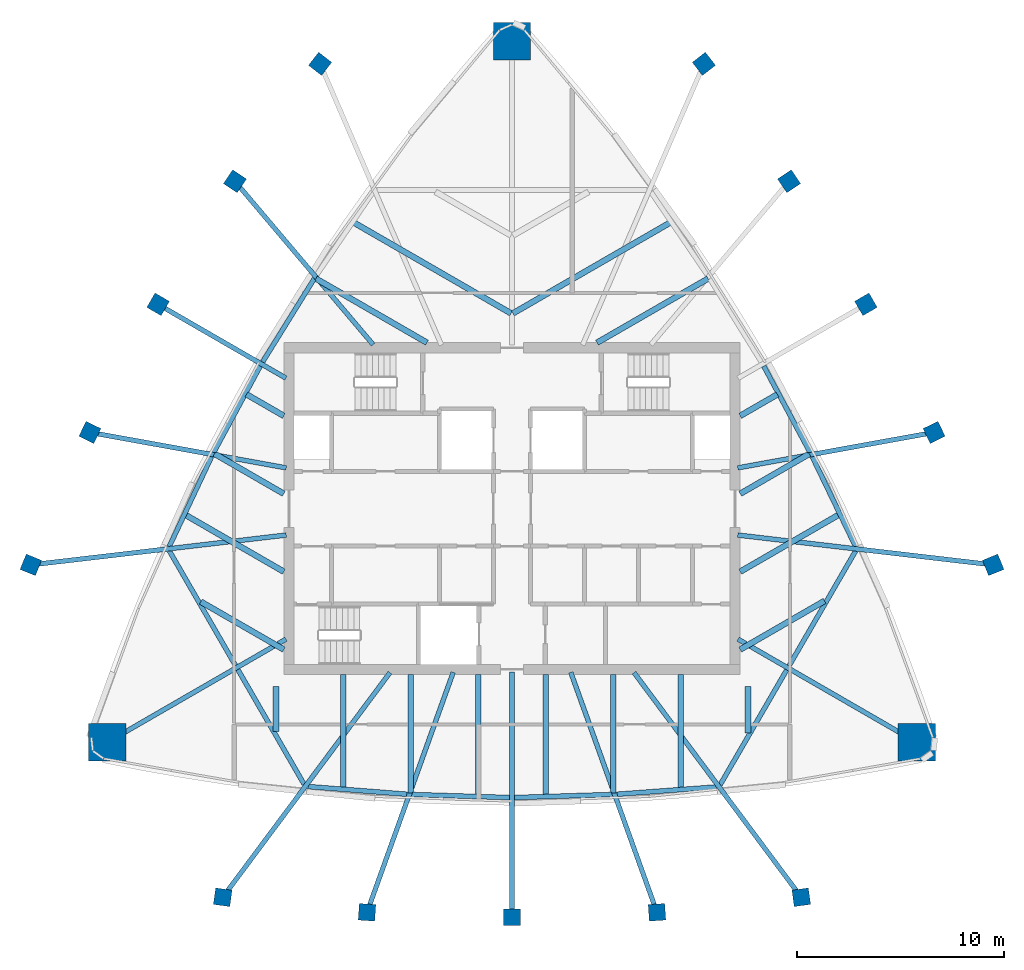
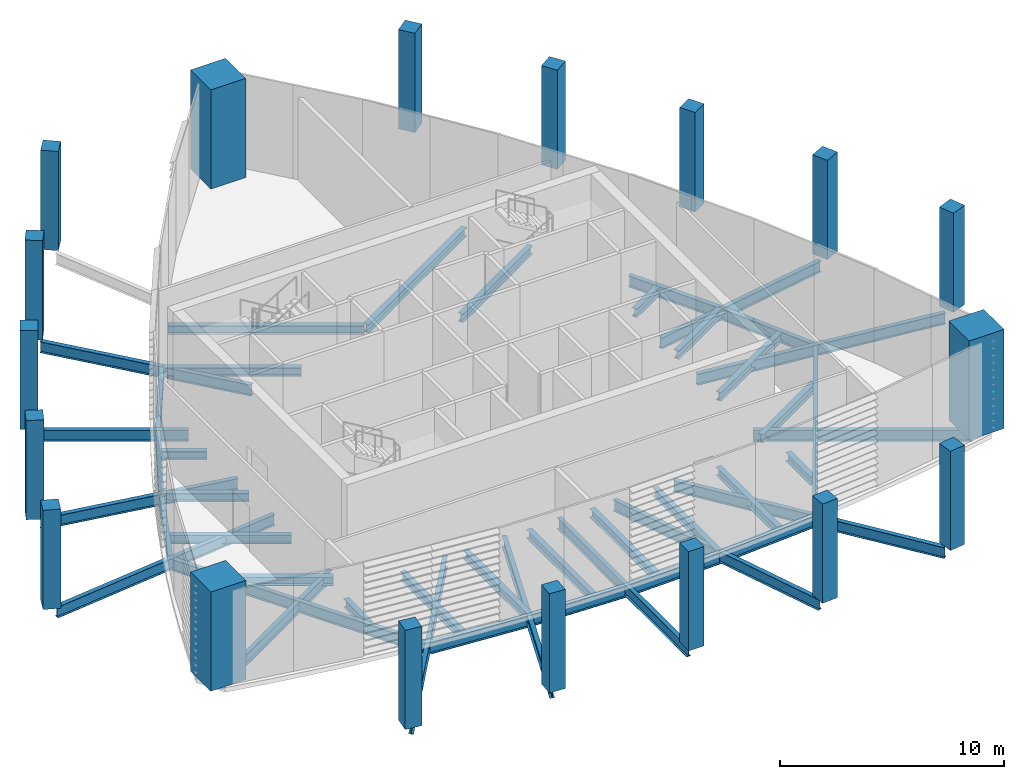
# One storey, part 1 of 8: 44 beams, 18 columns.
"""IFC4 building model written with IfcOpenShell, lengths in metres."""

from ifc_helpers import new_model, si_unit, direction, frame, origin, origin_2d, place, context, subcontext, project, spatial, rectangle, i_section, extrude, clip, halfspace, material, material_profile, profile_set, type_object, element, save


model = new_model("IFC4")

# Units and contexts
model_context = context("Model", 3, precision=1e-05, world=origin(), true_north=direction((0.0, 1.0)))
body_context = subcontext(model_context, "Body", "Model", "MODEL_VIEW")
ifc_project = project(units=[si_unit("LENGTHUNIT", "METRE"), si_unit("AREAUNIT", "SQUARE_METRE"), si_unit("VOLUMEUNIT", "CUBIC_METRE"), si_unit("PLANEANGLEUNIT", "RADIAN"), si_unit("MASSUNIT", "GRAM", prefix="KILO")], contexts=[model_context])

# Site, building, storey
site_placement = place(None, origin())
site = spatial("IfcSite", under=ifc_project, at=site_placement, CompositionType="ELEMENT")
building_placement = place(site_placement, origin())
building = spatial("IfcBuilding", under=site, at=building_placement, Name="Sierra Prisma Convention Tower", CompositionType="ELEMENT")
storey_placement = place(building_placement, frame((0.0, 0.0, 350.199951171875)))
storey = spatial("IfcBuildingStorey", under=building, at=storey_placement, Name="L78", CompositionType="ELEMENT", Elevation=350.199951171875)

# Columns
ifc_material_1 = material(Name="Concrete C50/60", Category="concrete")
ifc_material_profile_1 = material_profile(ifc_material_1, rectangle(XDim=1.800048828125, YDim=1.800048828125, at=origin_2d()), Name="Mega column RC 1800 C50/60")
ifc_profile_set_1 = profile_set([ifc_material_profile_1], Name="Concrete C50/60")
column_type_1 = type_object("IfcColumnType", Name="Mega column RC 1800 C50/60", PredefinedType="COLUMN", material=ifc_profile_set_1)
for number, where, z_axis, x_axis, name in (
    (1, (19.513671875, -11.266357421875, 0.0), (0.0, 0.0, 1.0), (1.0, 0.0, 0.0), "Mega column SE L78"),
    (2, (0.0, 22.532470703125, 0.0), (0.0, 0.0, 1.0), (1.0, 0.0, 0.0), "Mega column N L78"),
    (3, (-19.513671875, -11.266357421875, 0.0), (0.0, 0.0, 1.0), (1.0, 0.0, 0.0), "Mega column SW L78"),
):
    element("IfcColumn", number, at=place(storey_placement, frame(where, z_axis=z_axis, x_axis=x_axis)), inside=storey, type_object=column_type_1, Name=name, PredefinedType="COLUMN", context=body_context, shape_type="SweptSolid", body=[
        extrude(rectangle(XDim=1.800048828125, YDim=1.800048828125, at=origin_2d()), origin(), (0.0, 0.0, 1.0), 5.400146484375),
    ])
ifc_material_2 = material(Name="Concrete C50/60", Category="concrete")
ifc_material_profile_2 = material_profile(ifc_material_2, rectangle(XDim=0.800048828125, YDim=0.800048828125, at=origin_2d()), Name="Perimeter column RC 800 C50/60")
ifc_profile_set_2 = profile_set([ifc_material_profile_2], Name="Concrete C50/60")
column_type_2 = type_object("IfcColumnType", Name="Perimeter column RC 800 C50/60", PredefinedType="COLUMN", material=ifc_profile_set_2)
for number, where, z_axis, x_axis, name in (
    (4, (-13.944580078125, -18.733154296875, 0.0), (0.0, 0.0, 1.0), (-0.990429413919, 0.138020201583, 0.0), "Perimeter column S-1 L78"),
    (5, (-6.989013671875, -19.4580078125, 0.0), (0.0, 0.0, 1.0), (-0.997604544599, 0.069174941967, 0.0), "Perimeter column S-2 L78"),
    (6, (0.0, -19.699951171875, 0.0), (0.0, 0.0, 1.0), (1.0, 0.0, 0.0), "Perimeter column S-3 L78"),
    (7, (6.989013671875, -19.4580078125, 0.0), (0.0, 0.0, 1.0), (0.997604544599, 0.069174941967, 0.0), "Perimeter column S-4 L78"),
    (8, (13.944580078125, -18.733154296875, 0.0), (0.0, 0.0, 1.0), (0.990429413919, 0.138020201583, 0.0), "Perimeter column S-5 L78"),
    (9, (23.195556640625, -2.7099609375, 0.0), (0.0, 0.0, 1.0), (-0.375685706153, 0.9267471339, 0.0), "Perimeter column NE-1 L78"),
    (10, (20.345703125, 3.67626953125, 0.0), (0.0, 0.0, 1.0), (-0.438895015251, 0.898538349537, 0.0), "Perimeter column NE-2 L78"),
    (11, (17.060791015625, 9.85009765625, 0.0), (0.0, 0.0, 1.0), (-0.5, 0.866025403784, 0.0), "Perimeter column NE-3 L78"),
    (12, (13.356689453125, 15.78173828125, 0.0), (0.0, 0.0, 1.0), (-0.558709529348, 0.82936340757, 0.0), "Perimeter column NE-4 L78"),
    (13, (9.2509765625, 21.44287109375, 0.0), (0.0, 0.0, 1.0), (-0.614743707766, 0.788726932317, 0.0), "Perimeter column NE-5 L78"),
    (14, (-9.2509765625, 21.44287109375, 0.0), (0.0, 0.0, 1.0), (0.614743707766, 0.788726932317, 0.0), "Perimeter column NW-1 L78"),
    (15, (-13.356689453125, 15.78173828125, 0.0), (0.0, 0.0, 1.0), (0.558709529348, 0.82936340757, 0.0), "Perimeter column NW-2 L78"),
    (16, (-17.060791015625, 9.85009765625, 0.0), (0.0, 0.0, 1.0), (0.5, 0.866025403784, 0.0), "Perimeter column NW-3 L78"),
    (17, (-20.345703125, 3.67626953125, 0.0), (0.0, 0.0, 1.0), (0.438895015251, 0.898538349537, 0.0), "Perimeter column NW-4 L78"),
    (18, (-23.195556640625, -2.7099609375, 0.0), (0.0, 0.0, 1.0), (0.375685706153, 0.9267471339, 0.0), "Perimeter column NW-5 L78"),
):
    element("IfcColumn", number, at=place(storey_placement, frame(where, z_axis=z_axis, x_axis=x_axis)), inside=storey, type_object=column_type_2, Name=name, PredefinedType="COLUMN", context=body_context, shape_type="SweptSolid", body=[
        extrude(rectangle(XDim=0.800048828125, YDim=0.800048828125, at=origin_2d()), origin(), (0.0, 0.0, 1.0), 5.400146484375),
    ])

# Beams
ifc_material_3 = material(Name="Steel ASTM A992 Gr 50", Category="steel")
ifc_material_profile_3 = material_profile(ifc_material_3, i_section(OverallWidth=0.280029296875, OverallDepth=0.462890625, WebThickness=0.0107421875, FlangeThickness=0.017333984375, at=origin_2d()), Name="W460x113")
ifc_profile_set_3 = profile_set([ifc_material_profile_3], Name="Steel ASTM A992 Gr 50")
beam_type_1 = type_object("IfcBeamType", Name="Plant floor joist W460x113", PredefinedType="JOIST", material=ifc_profile_set_3)
beam_1_placement = place(storey_placement, frame((-11.383056640625, -10.747314453125, -0.4814453125), z_axis=(0.0, 1.0, 0.0), x_axis=(-1.0, 0.0, 0.0)))
element("IfcBeam", 19, at=beam_1_placement, inside=storey, type_object=beam_type_1, Name="Floor joist L78 S03", PredefinedType="JOIST", context=body_context, shape_type="SweptSolid", body=[
    extrude(i_section(OverallWidth=0.280029296875, OverallDepth=0.462890625, WebThickness=0.0107421875, FlangeThickness=0.017333984375, at=origin_2d()), origin(), (0.0, 0.0, 1.0), 2.1669921875),
])
beam_2_placement = place(storey_placement, frame((-8.130615234375, -13.46240234375, -0.4814453125), z_axis=(0.0, 1.0, 0.0), x_axis=(-1.0, 0.0, 0.0)))
element("IfcBeam", 20, at=beam_2_placement, inside=storey, type_object=beam_type_1, Name="Floor joist L78 S04", PredefinedType="JOIST", context=body_context, shape_type="SweptSolid", body=[
    extrude(i_section(OverallWidth=0.280029296875, OverallDepth=0.462890625, WebThickness=0.0107421875, FlangeThickness=0.017333984375, at=origin_2d()), origin(), (0.0, 0.0, 1.0), 5.46240234375),
])
beam_3_placement = place(storey_placement, frame((-4.87841796875, -13.712158203125, -0.4814453125), z_axis=(0.0, 1.0, 0.0), x_axis=(-1.0, 0.0, 0.0)))
element("IfcBeam", 21, at=beam_3_placement, inside=storey, type_object=beam_type_1, Name="Floor joist L78 S05", PredefinedType="JOIST", context=body_context, shape_type="SweptSolid", body=[
    extrude(i_section(OverallWidth=0.280029296875, OverallDepth=0.462890625, WebThickness=0.0107421875, FlangeThickness=0.017333984375, at=origin_2d()), origin(), (0.0, 0.0, 1.0), 5.712158203125),
])
for number, where, z_axis, x_axis, name in (
    (22, (-1.626220703125, -13.813720703125, -0.4814453125), (0.0, 1.0, 0.0), (-1.0, 0.0, 0.0), "Floor joist L78 S06"),
    (23, (1.626220703125, -13.813720703125, -0.4814453125), (0.0, 1.0, 0.0), (-1.0, 0.0, 0.0), "Floor joist L78 S07"),
):
    element("IfcBeam", number, at=place(storey_placement, frame(where, z_axis=z_axis, x_axis=x_axis)), inside=storey, type_object=beam_type_1, Name=name, PredefinedType="JOIST", context=body_context, shape_type="SweptSolid", body=[
        extrude(i_section(OverallWidth=0.280029296875, OverallDepth=0.462890625, WebThickness=0.0107421875, FlangeThickness=0.017333984375, at=origin_2d()), origin(), (0.0, 0.0, 1.0), 5.813720703125),
    ])
beam_4_placement = place(storey_placement, frame((4.87841796875, -13.712158203125, -0.4814453125), z_axis=(0.0, 1.0, 0.0), x_axis=(-1.0, 0.0, 0.0)))
element("IfcBeam", 24, at=beam_4_placement, inside=storey, type_object=beam_type_1, Name="Floor joist L78 S08", PredefinedType="JOIST", context=body_context, shape_type="SweptSolid", body=[
    extrude(i_section(OverallWidth=0.280029296875, OverallDepth=0.462890625, WebThickness=0.0107421875, FlangeThickness=0.017333984375, at=origin_2d()), origin(), (0.0, 0.0, 1.0), 5.712158203125),
])
beam_5_placement = place(storey_placement, frame((8.130615234375, -13.475830078125, -0.4814453125), z_axis=(0.0, 1.0, 0.0), x_axis=(-1.0, 0.0, 0.0)))
element("IfcBeam", 25, at=beam_5_placement, inside=storey, type_object=beam_type_1, Name="Floor joist L78 S09", PredefinedType="JOIST", context=body_context, shape_type="SweptSolid", body=[
    extrude(i_section(OverallWidth=0.280029296875, OverallDepth=0.462890625, WebThickness=0.0107421875, FlangeThickness=0.017333984375, at=origin_2d()), origin(), (0.0, 0.0, 1.0), 5.475830078125),
])
beam_6_placement = place(storey_placement, frame((11.383056640625, -10.802001953125, -0.4814453125), z_axis=(0.0, 1.0, 0.0), x_axis=(-1.0, 0.0, 0.0)))
element("IfcBeam", 26, at=beam_6_placement, inside=storey, type_object=beam_type_1, Name="Floor joist L78 S10", PredefinedType="JOIST", context=body_context, shape_type="SweptSolid", body=[
    extrude(i_section(OverallWidth=0.280029296875, OverallDepth=0.462890625, WebThickness=0.0107421875, FlangeThickness=0.017333984375, at=origin_2d()), origin(), (0.0, 0.0, 1.0), 2.2216796875),
])
beam_7_placement = place(storey_placement, frame((15.064697265625, -4.4462890625, -0.4814453125), z_axis=(-0.866009741255, -0.500027127316, 0.0), x_axis=(0.500027127316, -0.866009741255, 0.0)))
element("IfcBeam", 27, at=beam_7_placement, inside=storey, type_object=beam_type_1, Name="Floor joist L78 NE03", PredefinedType="JOIST", context=body_context, shape_type="SweptSolid", body=[
    extrude(i_section(OverallWidth=0.280029296875, OverallDepth=0.462890625, WebThickness=0.0107421875, FlangeThickness=0.017333984375, at=origin_2d()), origin(), (0.0, 0.0, 1.0), 4.693603515625),
])
beam_8_placement = place(storey_placement, frame((15.752197265625, -0.2939453125, -0.4814453125), z_axis=(-0.866027773222, -0.499995895991, 0.0), x_axis=(0.499995895991, -0.866027773222, 0.0)))
element("IfcBeam", 28, at=beam_8_placement, inside=storey, type_object=beam_type_1, Name="Floor joist L78 NE04", PredefinedType="JOIST", context=body_context, shape_type="SweptSolid", body=[
    extrude(i_section(OverallWidth=0.280029296875, OverallDepth=0.462890625, WebThickness=0.0107421875, FlangeThickness=0.017333984375, at=origin_2d()), origin(), (0.0, 0.0, 1.0), 5.4873046875),
])
beam_9_placement = place(storey_placement, frame((14.331787109375, 2.641357421875, -0.4814453125), z_axis=(-0.866028127555, -0.499995282261, 0.0), x_axis=(0.499995282261, -0.866028127555, 0.0)))
element("IfcBeam", 29, at=beam_9_placement, inside=storey, type_object=beam_type_1, Name="Floor joist L78 NE05", PredefinedType="JOIST", context=body_context, shape_type="SweptSolid", body=[
    extrude(i_section(OverallWidth=0.280029296875, OverallDepth=0.462890625, WebThickness=0.0107421875, FlangeThickness=0.017333984375, at=origin_2d()), origin(), (0.0, 0.0, 1.0), 3.84716796875),
])
beam_10_placement = place(storey_placement, frame((12.793701171875, 5.5087890625, -0.4814453125), z_axis=(-0.866014808974, -0.500018350302, 0.0), x_axis=(0.500018350302, -0.866014808974, 0.0)))
element("IfcBeam", 30, at=beam_10_placement, inside=storey, type_object=beam_type_1, Name="Floor joist L78 NE06", PredefinedType="JOIST", context=body_context, shape_type="SweptSolid", body=[
    extrude(i_section(OverallWidth=0.280029296875, OverallDepth=0.462890625, WebThickness=0.0107421875, FlangeThickness=0.017333984375, at=origin_2d()), origin(), (0.0, 0.0, 1.0), 2.0712890625),
])
beam_11_placement = place(storey_placement, frame((9.453857421875, 11.09130859375, -0.4814453125), z_axis=(-0.866023159588, -0.500003887042, 0.0), x_axis=(0.500003887042, -0.866023159588, 0.0)))
element("IfcBeam", 31, at=beam_11_placement, inside=storey, type_object=beam_type_1, Name="Floor joist L78 NE08", PredefinedType="JOIST", context=body_context, shape_type="SweptSolid", body=[
    extrude(i_section(OverallWidth=0.280029296875, OverallDepth=0.462890625, WebThickness=0.0107421875, FlangeThickness=0.017333984375, at=origin_2d()), origin(), (0.0, 0.0, 1.0), 6.1826171875),
])
for number, where, z_axis, x_axis, name in (
    (32, (7.62158203125, 13.788818359375, -0.4814453125), (-0.866022457571, -0.500005102957, 0.0), (0.500005102957, -0.866022457571, 0.0), "Floor joist L78 NE09"),
    (33, (-7.62158203125, 13.788818359375, -0.4814453125), (0.866022457571, -0.500005102957, 0.0), (0.500005102957, 0.866022457571, 0.0), "Floor joist L78 NW04"),
):
    element("IfcBeam", number, at=place(storey_placement, frame(where, z_axis=z_axis, x_axis=x_axis)), inside=storey, type_object=beam_type_1, Name=name, PredefinedType="JOIST", context=body_context, shape_type="SweptSolid", body=[
        extrude(i_section(OverallWidth=0.280029296875, OverallDepth=0.462890625, WebThickness=0.0107421875, FlangeThickness=0.017333984375, at=origin_2d()), origin(), (0.0, 0.0, 1.0), 8.748046875),
    ])
beam_12_placement = place(storey_placement, frame((-9.453857421875, 11.09130859375, -0.4814453125), z_axis=(0.866023159588, -0.500003887042, 0.0), x_axis=(0.500003887042, 0.866023159588, 0.0)))
element("IfcBeam", 34, at=beam_12_placement, inside=storey, type_object=beam_type_1, Name="Floor joist L78 NW05", PredefinedType="JOIST", context=body_context, shape_type="SweptSolid", body=[
    extrude(i_section(OverallWidth=0.280029296875, OverallDepth=0.462890625, WebThickness=0.0107421875, FlangeThickness=0.017333984375, at=origin_2d()), origin(), (0.0, 0.0, 1.0), 6.1826171875),
])
beam_13_placement = place(storey_placement, frame((-12.796630859375, 5.510498046875, -0.4814453125), z_axis=(0.866011167577, -0.500024657023, 0.0), x_axis=(0.500024657023, 0.866011167577, 0.0)))
element("IfcBeam", 35, at=beam_13_placement, inside=storey, type_object=beam_type_1, Name="Floor joist L78 NW07", PredefinedType="JOIST", context=body_context, shape_type="SweptSolid", body=[
    extrude(i_section(OverallWidth=0.280029296875, OverallDepth=0.462890625, WebThickness=0.0107421875, FlangeThickness=0.017333984375, at=origin_2d()), origin(), (0.0, 0.0, 1.0), 2.07470703125),
])
beam_14_placement = place(storey_placement, frame((-14.340576171875, 2.646484375, -0.4814453125), z_axis=(0.866022217343, -0.500005519039, 0.0), x_axis=(0.500005519039, 0.866022217343, 0.0)))
element("IfcBeam", 36, at=beam_14_placement, inside=storey, type_object=beam_type_1, Name="Floor joist L78 NW08", PredefinedType="JOIST", context=body_context, shape_type="SweptSolid", body=[
    extrude(i_section(OverallWidth=0.280029296875, OverallDepth=0.462890625, WebThickness=0.0107421875, FlangeThickness=0.017333984375, at=origin_2d()), origin(), (0.0, 0.0, 1.0), 3.857421875),
])
beam_15_placement = place(storey_placement, frame((-15.73388671875, -0.304443359375, -0.4814453125), z_axis=(0.866021955858, -0.500005971936, 0.0), x_axis=(0.500005971936, 0.866021955858, 0.0)))
element("IfcBeam", 37, at=beam_15_placement, inside=storey, type_object=beam_type_1, Name="Floor joist L78 NW09", PredefinedType="JOIST", context=body_context, shape_type="SweptSolid", body=[
    extrude(i_section(OverallWidth=0.280029296875, OverallDepth=0.462890625, WebThickness=0.0107421875, FlangeThickness=0.017333984375, at=origin_2d()), origin(), (0.0, 0.0, 1.0), 5.46630859375),
])
beam_16_placement = place(storey_placement, frame((-14.9990234375, -4.484375, -0.4814453125), z_axis=(0.866025344474, -0.500000102728, 0.0), x_axis=(0.500000102728, 0.866025344474, 0.0)))
element("IfcBeam", 38, at=beam_16_placement, inside=storey, type_object=beam_type_1, Name="Floor joist L78 NW10", PredefinedType="JOIST", context=body_context, shape_type="SweptSolid", body=[
    extrude(i_section(OverallWidth=0.280029296875, OverallDepth=0.462890625, WebThickness=0.0107421875, FlangeThickness=0.017333984375, at=origin_2d()), origin(), (0.0, 0.0, 1.0), 4.61767578125),
])
ifc_material_4 = material(Name="Steel ASTM A992 Gr 50", Category="steel")
ifc_material_profile_4 = material_profile(ifc_material_4, i_section(OverallWidth=0.22802734375, OverallDepth=0.60302734375, WebThickness=0.010498046875, FlangeThickness=0.014892578125, at=origin_2d()), Name="W610x101")
ifc_profile_set_4 = profile_set([ifc_material_profile_4], Name="Steel ASTM A992 Gr 50")
beam_type_2 = type_object("IfcBeamType", Name="Radial girder W610x101", PredefinedType="BEAM", material=ifc_profile_set_4)
beam_17_placement = place(storey_placement, frame((-19.333740234375, -11.162353515625, -0.551513671875), z_axis=(0.866023262497, 0.500003708801, 0.0), x_axis=(-0.500003708801, 0.866023262497, 0.0)))
element("IfcBeam", 39, at=beam_17_placement, inside=storey, type_object=beam_type_2, Name="Radial girder L78 MC-SW", PredefinedType="BEAM", context=body_context, shape_type="SweptSolid", body=[
    extrude(i_section(OverallWidth=0.22802734375, OverallDepth=0.60302734375, WebThickness=0.010498046875, FlangeThickness=0.014892578125, at=origin_2d()), origin(), (0.0, 0.0, 1.0), 9.7431640625),
])
beam_18_placement = place(storey_placement, frame((-13.743896484375, -18.46337890625, -0.551513671875), z_axis=(0.597111803332, 0.802158023286, 0.0), x_axis=(-0.802158023286, 0.597111803332, 0.0)))
element("IfcBeam", 40, at=beam_18_placement, inside=storey, type_object=beam_type_2, Name="Radial girder L78 PC-S-1", PredefinedType="BEAM", context=body_context, shape_type="SweptSolid", body=[
    extrude(i_section(OverallWidth=0.22802734375, OverallDepth=0.60302734375, WebThickness=0.010498046875, FlangeThickness=0.014892578125, at=origin_2d()), origin(), (0.0, 0.0, 1.0), 13.1640625),
])
beam_19_placement = place(storey_placement, frame((-6.88916015625, -19.1796875, -0.551513671875), z_axis=(0.338038517584, 0.941132275841, 0.0), x_axis=(-0.941132275841, 0.338038517584, 0.0)))
element("IfcBeam", 41, at=beam_19_placement, inside=storey, type_object=beam_type_2, Name="Radial girder L78 PC-S-2", PredefinedType="BEAM", context=body_context, shape_type="SweptSolid", body=[
    extrude(i_section(OverallWidth=0.22802734375, OverallDepth=0.60302734375, WebThickness=0.010498046875, FlangeThickness=0.014892578125, at=origin_2d()), origin(), (0.0, 0.0, 1.0), 11.9990234375),
])
beam_20_placement = place(storey_placement, frame((0.0, -19.419921875, -0.551513671875), z_axis=(0.0, 1.0, 0.0), x_axis=(-1.0, 0.0, 0.0)))
element("IfcBeam", 42, at=beam_20_placement, inside=storey, type_object=beam_type_2, Name="Radial girder L78 PC-S-3", PredefinedType="BEAM", context=body_context, shape_type="SweptSolid", body=[
    extrude(i_section(OverallWidth=0.22802734375, OverallDepth=0.60302734375, WebThickness=0.010498046875, FlangeThickness=0.014892578125, at=origin_2d()), origin(), (0.0, 0.0, 1.0), 11.5400390625),
])
beam_21_placement = place(storey_placement, frame((6.88916015625, -19.1796875, -0.551513671875), z_axis=(-0.338038517584, 0.941132275841, 0.0), x_axis=(-0.941132275841, -0.338038517584, 0.0)))
element("IfcBeam", 43, at=beam_21_placement, inside=storey, type_object=beam_type_2, Name="Radial girder L78 PC-S-4", PredefinedType="BEAM", context=body_context, shape_type="SweptSolid", body=[
    extrude(i_section(OverallWidth=0.22802734375, OverallDepth=0.60302734375, WebThickness=0.010498046875, FlangeThickness=0.014892578125, at=origin_2d()), origin(), (0.0, 0.0, 1.0), 11.9990234375),
])
beam_22_placement = place(storey_placement, frame((13.743896484375, -18.46337890625, -0.551513671875), z_axis=(-0.597111803332, 0.802158023286, 0.0), x_axis=(-0.802158023286, -0.597111803332, 0.0)))
element("IfcBeam", 44, at=beam_22_placement, inside=storey, type_object=beam_type_2, Name="Radial girder L78 PC-S-5", PredefinedType="BEAM", context=body_context, shape_type="SweptSolid", body=[
    extrude(i_section(OverallWidth=0.22802734375, OverallDepth=0.60302734375, WebThickness=0.010498046875, FlangeThickness=0.014892578125, at=origin_2d()), origin(), (0.0, 0.0, 1.0), 13.1640625),
])
beam_23_placement = place(storey_placement, frame((19.333740234375, -11.162353515625, -0.551513671875), z_axis=(-0.866023262497, 0.500003708801, 0.0), x_axis=(-0.500003708801, -0.866023262497, 0.0)))
element("IfcBeam", 45, at=beam_23_placement, inside=storey, type_object=beam_type_2, Name="Radial girder L78 MC-SE", PredefinedType="BEAM", context=body_context, shape_type="SweptSolid", body=[
    extrude(i_section(OverallWidth=0.22802734375, OverallDepth=0.60302734375, WebThickness=0.010498046875, FlangeThickness=0.014892578125, at=origin_2d()), origin(), (0.0, 0.0, 1.0), 9.7431640625),
])
beam_24_placement = place(storey_placement, frame((22.86181640625, -2.6708984375, -0.551513671875), z_axis=(-0.993245189305, 0.116034451446, 0.0), x_axis=(-0.116034451446, -0.993245189305, 0.0)))
element("IfcBeam", 46, at=beam_24_placement, inside=storey, type_object=beam_type_2, Name="Radial girder L78 PC-NE-1", PredefinedType="BEAM", context=body_context, shape_type="SweptSolid", body=[
    extrude(i_section(OverallWidth=0.22802734375, OverallDepth=0.60302734375, WebThickness=0.010498046875, FlangeThickness=0.014892578125, at=origin_2d()), origin(), (0.0, 0.0, 1.0), 12.0625),
])
beam_25_placement = place(storey_placement, frame((20.0546875, 3.623779296875, -0.551513671875), z_axis=(-0.984064190553, -0.177813578986, 0.0), x_axis=(0.177813578986, -0.984064190553, 0.0)))
element("IfcBeam", 47, at=beam_25_placement, inside=storey, type_object=beam_type_2, Name="Radial girder L78 PC-NE-2", PredefinedType="BEAM", context=body_context, shape_type="SweptSolid", body=[
    extrude(i_section(OverallWidth=0.22802734375, OverallDepth=0.60302734375, WebThickness=0.010498046875, FlangeThickness=0.014892578125, at=origin_2d()), origin(), (0.0, 0.0, 1.0), 9.3212890625),
])
beam_26_placement = place(storey_placement, frame((-13.16552734375, 15.555908203125, -0.551513671875), z_axis=(0.646028534804, -0.76331325956, 0.0), x_axis=(0.76331325956, 0.646028534804, 0.0)))
element("IfcBeam", 48, at=beam_26_placement, inside=storey, type_object=beam_type_2, Name="Radial girder L78 PC-NW-2", PredefinedType="BEAM", context=body_context, shape_type="SweptSolid", body=[
    extrude(i_section(OverallWidth=0.22802734375, OverallDepth=0.60302734375, WebThickness=0.010498046875, FlangeThickness=0.014892578125, at=origin_2d()), origin(), (0.0, 0.0, 1.0), 10.018798828125),
])
beam_27_placement = place(storey_placement, frame((-16.818115234375, 9.7099609375, -0.551513671875), z_axis=(0.866022087412, -0.500005744082, 0.0), x_axis=(0.500005744082, 0.866022087412, 0.0)))
element("IfcBeam", 49, at=beam_27_placement, inside=storey, type_object=beam_type_2, Name="Radial girder L78 PC-NW-3", PredefinedType="BEAM", context=body_context, shape_type="SweptSolid", body=[
    extrude(i_section(OverallWidth=0.22802734375, OverallDepth=0.60302734375, WebThickness=0.010498046875, FlangeThickness=0.014892578125, at=origin_2d()), origin(), (0.0, 0.0, 1.0), 6.83837890625),
])
beam_28_placement = place(storey_placement, frame((-20.0546875, 3.623779296875, -0.551513671875), z_axis=(0.984064190553, -0.177813578986, 0.0), x_axis=(0.177813578986, 0.984064190553, 0.0)))
element("IfcBeam", 50, at=beam_28_placement, inside=storey, type_object=beam_type_2, Name="Radial girder L78 PC-NW-4", PredefinedType="BEAM", context=body_context, shape_type="SweptSolid", body=[
    extrude(i_section(OverallWidth=0.22802734375, OverallDepth=0.60302734375, WebThickness=0.010498046875, FlangeThickness=0.014892578125, at=origin_2d()), origin(), (0.0, 0.0, 1.0), 9.3212890625),
])
beam_29_placement = place(storey_placement, frame((-22.86181640625, -2.6708984375, -0.551513671875), z_axis=(0.993245189305, 0.116034451446, 0.0), x_axis=(-0.116034451446, 0.993245189305, 0.0)))
element("IfcBeam", 51, at=beam_29_placement, inside=storey, type_object=beam_type_2, Name="Radial girder L78 PC-NW-5", PredefinedType="BEAM", context=body_context, shape_type="SweptSolid", body=[
    extrude(i_section(OverallWidth=0.22802734375, OverallDepth=0.60302734375, WebThickness=0.010498046875, FlangeThickness=0.014892578125, at=origin_2d()), origin(), (0.0, 0.0, 1.0), 12.0625),
])
ifc_material_5 = material(Name="Steel ASTM A992 Gr 50", Category="steel")
ifc_material_profile_5 = material_profile(ifc_material_5, i_section(OverallWidth=0.22998046875, OverallDepth=0.616943359375, WebThickness=0.01318359375, FlangeThickness=0.022216796875, at=origin_2d()), Name="W610x140")
ifc_profile_set_5 = profile_set([ifc_material_profile_5], Name="Steel ASTM A992 Gr 50")
beam_type_3 = type_object("IfcBeamType", Name="Spandrel beam W610x140", PredefinedType="BEAM", material=ifc_profile_set_5)
beam_30_placement = place(storey_placement, frame((-16.516845703125, -2.03515625, -0.558349609375), z_axis=(0.499997362234, -0.866026926694, 0.0), x_axis=(0.866026926694, 0.499997362234, 0.0)))
element("IfcBeam", 52, at=beam_30_placement, inside=storey, type_object=beam_type_3, Name="Crown edge beam L78-01", PredefinedType="BEAM", context=body_context, shape_type="SweptSolid", body=[
    clip(clip(extrude(i_section(OverallWidth=0.22998046875, OverallDepth=0.616943359375, WebThickness=0.01318359375, FlangeThickness=0.022216796875, at=origin_2d()), origin(), (0.0, 0.0, 1.0), 12.99169921875), halfspace(frame((-0.045166015625, 0.0, -0.009521484375), z_axis=(-0.396126831769, 0.0, 0.918195803276), x_axis=(0.918195803276, 0.0, 0.396126831769)), True)), halfspace(frame((-0.04541015625, 0.0, 13.00146484375), z_axis=(-0.396132273104, 0.0, -0.918193455763), x_axis=(0.918193455763, 0.0, -0.396132273104)), True)),
])
beam_31_placement = place(storey_placement, frame((-9.839599609375, -13.39501953125, -0.558349609375), z_axis=(0.996993113599, -0.077490202195, 0.0), x_axis=(0.077490202195, 0.996993113599, 0.0)))
element("IfcBeam", 53, at=beam_31_placement, inside=storey, type_object=beam_type_3, Name="Crown edge beam L78-02", PredefinedType="BEAM", context=body_context, shape_type="SweptSolid", body=[
    clip(clip(extrude(i_section(OverallWidth=0.22998046875, OverallDepth=0.616943359375, WebThickness=0.01318359375, FlangeThickness=0.022216796875, at=origin_2d()), origin(), (0.0, 0.0, 1.0), 4.79833984375), halfspace(frame((-0.060791015625, 0.0, -0.028076171875), z_axis=(-0.533160513978, 0.0, 0.846014105281), x_axis=(0.846014105281, 0.0, 0.533160513978)), True)), halfspace(frame((0.0302734375, 0.0, 4.79638671875), z_axis=(0.264098867217, 0.0, -0.964495613435), x_axis=(0.964495613435, 0.0, 0.264098867217)), True)),
])
beam_32_placement = place(storey_placement, frame((-4.838134765625, -13.778564453125, -0.558349609375), z_axis=(0.999513633771, -0.03118486661, 0.0), x_axis=(0.03118486661, 0.999513633771, 0.0)))
element("IfcBeam", 54, at=beam_32_placement, inside=storey, type_object=beam_type_3, Name="Crown edge beam L78-03", PredefinedType="BEAM", context=body_context, shape_type="SweptSolid", body=[
    clip(clip(extrude(i_section(OverallWidth=0.22998046875, OverallDepth=0.616943359375, WebThickness=0.01318359375, FlangeThickness=0.022216796875, at=origin_2d()), origin(), (0.0, 0.0, 1.0), 4.736328125), halfspace(frame((-0.03515625, 0.0, -0.00146484375), z_axis=(-0.30853027268, 0.0, 0.95121452409), x_axis=(0.95121452409, 0.0, 0.30853027268)), True)), halfspace(frame((-0.00341796875, 0.0, 4.7265625), z_axis=(-0.03118486661, 0.0, -0.999513633771), x_axis=(0.999513633771, 0.0, -0.03118486661)), True)),
])
beam_33_placement = place(storey_placement, frame((0.10400390625, -13.92626953125, -0.558349609375), z_axis=(0.999513633771, 0.03118486661, 0.0), x_axis=(-0.03118486661, 0.999513633771, 0.0)))
element("IfcBeam", 55, at=beam_33_placement, inside=storey, type_object=beam_type_3, Name="Crown edge beam L78-04", PredefinedType="BEAM", context=body_context, shape_type="SweptSolid", body=[
    clip(clip(extrude(i_section(OverallWidth=0.22998046875, OverallDepth=0.616943359375, WebThickness=0.01318359375, FlangeThickness=0.022216796875, at=origin_2d()), origin(), (0.0, 0.0, 1.0), 4.736328125), halfspace(frame((-0.00341796875, 0.0, 0.010009765625), z_axis=(-0.03118486661, 0.0, 0.999513633771), x_axis=(0.999513633771, 0.0, 0.03118486661)), True)), halfspace(frame((-0.03515625, 0.0, 4.73779296875), z_axis=(-0.30853027268, 0.0, -0.95121452409), x_axis=(0.95121452409, 0.0, -0.30853027268)), True)),
])
beam_34_placement = place(storey_placement, frame((5.055908203125, -13.76708984375, -0.558349609375), z_axis=(0.997311607965, 0.073277258531, 0.0), x_axis=(-0.073277258531, 0.997311607965, 0.0)))
element("IfcBeam", 56, at=beam_34_placement, inside=storey, type_object=beam_type_3, Name="Crown edge beam L78-05", PredefinedType="BEAM", context=body_context, shape_type="SweptSolid", body=[
    clip(clip(extrude(i_section(OverallWidth=0.22998046875, OverallDepth=0.616943359375, WebThickness=0.01318359375, FlangeThickness=0.022216796875, at=origin_2d()), origin(), (0.0, 0.0, 1.0), 4.81103515625), halfspace(frame((0.030517578125, 0.0, 0.00146484375), z_axis=(0.268171461633, 0.0, 0.963371199053), x_axis=(0.963371199053, 0.0, -0.268171461633)), True)), halfspace(frame((-0.06103515625, 0.0, 4.840087890625), z_axis=(-0.536730127814, 0.0, -0.843753974744), x_axis=(0.843753974744, 0.0, -0.536730127814)), True)),
])
beam_35_placement = place(storey_placement, frame((10.035888671875, -13.306640625, -0.558349609375), z_axis=(0.501273519433, 0.865288887433, 0.0), x_axis=(-0.865288887433, 0.501273519433, 0.0)))
element("IfcBeam", 57, at=beam_35_placement, inside=storey, type_object=beam_type_3, Name="Crown edge beam L78-06", PredefinedType="BEAM", context=body_context, shape_type="SweptSolid", body=[
    clip(clip(extrude(i_section(OverallWidth=0.22998046875, OverallDepth=0.616943359375, WebThickness=0.01318359375, FlangeThickness=0.022216796875, at=origin_2d()), origin(), (0.0, 0.0, 1.0), 13.02001953125), halfspace(frame((-0.045166015625, 0.0, -0.00927734375), z_axis=(-0.39477823802, 0.0, 0.91877643787), x_axis=(0.91877643787, 0.0, 0.39477823802)), True)), halfspace(frame((-0.04541015625, 0.0, 13.02978515625), z_axis=(-0.397480009414, 0.0, -0.917610833696), x_axis=(0.917610833696, 0.0, -0.397480009414)), True)),
])
beam_36_placement = place(storey_placement, frame((16.5654296875, -1.8291015625, -0.558349609375), z_axis=(-0.434722134841, 0.900564637036, 0.0), x_axis=(-0.900564637036, -0.434722134841, 0.0)))
element("IfcBeam", 58, at=beam_36_placement, inside=storey, type_object=beam_type_3, Name="Crown edge beam L78-07", PredefinedType="BEAM", context=body_context, shape_type="SweptSolid", body=[
    clip(clip(extrude(i_section(OverallWidth=0.22998046875, OverallDepth=0.616943359375, WebThickness=0.01318359375, FlangeThickness=0.022216796875, at=origin_2d()), origin(), (0.0, 0.0, 1.0), 4.81689453125), halfspace(frame((-0.061279296875, 0.0, -0.02880859375), z_axis=(-0.536286038442, 0.0, 0.844036305482), x_axis=(0.844036305482, 0.0, 0.536286038442)), True)), halfspace(frame((0.030517578125, 0.0, 4.8154296875), z_axis=(0.267662272813, 0.0, -0.963512795822), x_axis=(0.963512795822, 0.0, 0.267662272813)), True)),
])
beam_37_placement = place(storey_placement, frame((14.37255859375, 2.703125, -0.558349609375), z_axis=(-0.472721210919, 0.881212038471, 0.0), x_axis=(-0.881212038471, -0.472721210919, 0.0)))
element("IfcBeam", 59, at=beam_37_placement, inside=storey, type_object=beam_type_3, Name="Crown edge beam L78-08", PredefinedType="BEAM", context=body_context, shape_type="SweptSolid", body=[
    clip(clip(extrude(i_section(OverallWidth=0.22998046875, OverallDepth=0.616943359375, WebThickness=0.01318359375, FlangeThickness=0.022216796875, at=origin_2d()), origin(), (0.0, 0.0, 1.0), 4.74365234375), halfspace(frame((-0.034912109375, 0.0, -0.001220703125), z_axis=(-0.308496952462, 0.0, 0.951225330992), x_axis=(0.951225330992, 0.0, 0.308496952462)), True)), halfspace(frame((-0.00341796875, 0.0, 4.733642578125), z_axis=(-0.031217453219, 0.0, -0.999512616536), x_axis=(0.999512616536, 0.0, -0.031217453219)), True)),
])
beam_38_placement = place(storey_placement, frame((-9.527587890625, 11.095703125, -0.558349609375), z_axis=(-0.526719564314, -0.850039117082, 0.0), x_axis=(0.850039117082, -0.526719564314, 0.0)))
element("IfcBeam", 60, at=beam_38_placement, inside=storey, type_object=beam_type_3, Name="Crown edge beam L78-13", PredefinedType="BEAM", context=body_context, shape_type="SweptSolid", body=[
    clip(clip(extrude(i_section(OverallWidth=0.22998046875, OverallDepth=0.616943359375, WebThickness=0.01318359375, FlangeThickness=0.022216796875, at=origin_2d()), origin(), (0.0, 0.0, 1.0), 4.74365234375), halfspace(frame((-0.03515625, 0.0, -0.00146484375), z_axis=(-0.3085775596, 0.0, 0.951199185088), x_axis=(0.951199185088, 0.0, 0.3085775596)), True)), halfspace(frame((-0.00341796875, 0.0, 4.733642578125), z_axis=(-0.031132953279, 0.0, -0.99951525212), x_axis=(0.99951525212, 0.0, -0.031132953279)), True)),
])
beam_39_placement = place(storey_placement, frame((-12.13037109375, 6.88330078125, -0.558349609375), z_axis=(-0.474529168945, -0.880239778595, 0.0), x_axis=(0.880239778595, -0.474529168945, 0.0)))
element("IfcBeam", 61, at=beam_39_placement, inside=storey, type_object=beam_type_3, Name="Crown edge beam L78-14", PredefinedType="BEAM", context=body_context, shape_type="SweptSolid", body=[
    clip(clip(extrude(i_section(OverallWidth=0.22998046875, OverallDepth=0.616943359375, WebThickness=0.01318359375, FlangeThickness=0.022216796875, at=origin_2d()), origin(), (0.0, 0.0, 1.0), 4.74658203125), halfspace(frame((-0.00341796875, 0.0, 0.009765625), z_axis=(-0.029165585702, 0.0, 0.99957459382), x_axis=(0.99957459382, 0.0, 0.029165585702)), True)), halfspace(frame((-0.035400390625, 0.0, 4.748291015625), z_axis=(-0.310448979952, 0.0, -0.950590043524), x_axis=(0.950590043524, 0.0, -0.310448979952)), True)),
])
beam_40_placement = place(storey_placement, frame((-14.48095703125, 2.510498046875, -0.558349609375), z_axis=(-0.425846121798, -0.904795601531, 0.0), x_axis=(0.904795601531, -0.425846121798, 0.0)))
element("IfcBeam", 62, at=beam_40_placement, inside=storey, type_object=beam_type_3, Name="Crown edge beam L78-15", PredefinedType="BEAM", context=body_context, shape_type="SweptSolid", body=[
    clip(clip(extrude(i_section(OverallWidth=0.22998046875, OverallDepth=0.616943359375, WebThickness=0.01318359375, FlangeThickness=0.022216796875, at=origin_2d()), origin(), (0.0, 0.0, 1.0), 4.79052734375), halfspace(frame((0.029296875, 0.0, 0.002197265625), z_axis=(0.258175384378, 0.0, 0.966098064847), x_axis=(0.966098064847, 0.0, -0.258175384378)), True)), halfspace(frame((-0.060302734375, 0.0, 4.81787109375), z_axis=(-0.527960942671, 0.0, -0.84926865185), x_axis=(0.84926865185, 0.0, -0.527960942671)), True)),
])

save(model, "model.ifc")
